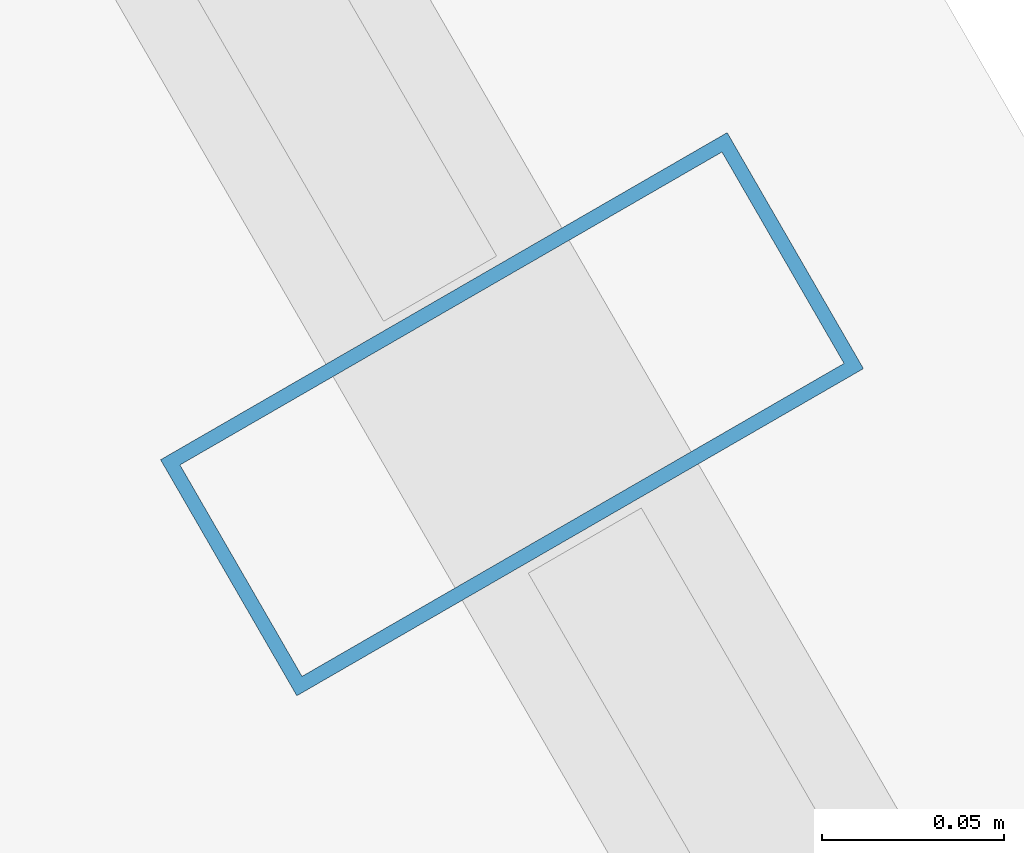
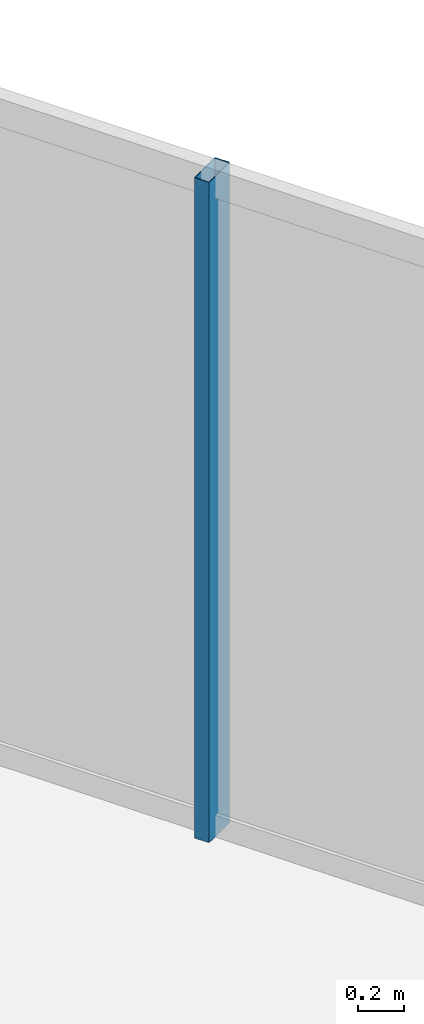
# One storey, part 25 of 34: 1 member, 1 element without a shape of its own.
"""IFC4 building model written with IfcOpenShell, lengths in metres."""

from ifc_helpers import new_model, si_unit, direction, frame, origin, origin_2d, place, context, subcontext, project, spatial, hollow_rectangle, extrude, material, layer, layer_set, material_profile, profile_set, type_object, element, aggregate, save


model = new_model("IFC4")

# Units and contexts
model_context = context("Model", 3, precision=1e-05, world=origin(), true_north=direction((0.0, 1.0)))
body_context = subcontext(model_context, "Body", "Model", "MODEL_VIEW")
ifc_project = project(units=[si_unit("LENGTHUNIT", "METRE"), si_unit("AREAUNIT", "SQUARE_METRE"), si_unit("VOLUMEUNIT", "CUBIC_METRE"), si_unit("PLANEANGLEUNIT", "RADIAN"), si_unit("MASSUNIT", "GRAM", prefix="KILO")], contexts=[model_context])

# Site, building, storey
site_placement = place(None, origin())
site = spatial("IfcSite", under=ifc_project, at=site_placement, CompositionType="ELEMENT")
building_placement = place(site_placement, origin())
building = spatial("IfcBuilding", under=site, at=building_placement, Name="Ndaravel Arena Tower", CompositionType="ELEMENT")
storey_placement = place(building_placement, frame((0.0, 0.0, 199.199951171875)))
storey = spatial("IfcBuildingStorey", under=building, at=storey_placement, Name="L48", CompositionType="ELEMENT", Elevation=199.199951171875)

# Curtain wall, member
ifc_material_1 = material(Name="Aluminium", Category="aluminium")
ifc_layer = layer(ifc_material_1, 0.179931640625)
ifc_layer_set = layer_set([ifc_layer], Name="Aluminium")
curtain_wall_type = type_object("IfcCurtainWallType", Name="CW-SYS-03", PredefinedType="NOTDEFINED", material=ifc_layer_set)
curtain_wall_placement = place(storey_placement, origin())
curtain_wall = element("IfcCurtainWall", 1, at=curtain_wall_placement, inside=storey, type_object=curtain_wall_type, Name="L48 Faceted Crystal Curtain Wall CW-L48-E03", PredefinedType="NOTDEFINED")
ifc_material_2 = material(Name="Aluminium", Category="aluminium")
ifc_material_profile = material_profile(ifc_material_2, hollow_rectangle(XDim=0.074951171875, YDim=0.179931640625, WallThickness=0.00390625, at=origin_2d()), Name="CW MULLION 75x180x4")
ifc_profile_set = profile_set([ifc_material_profile], Name="Aluminium")
member_type = type_object("IfcMemberType", Name="MEM-CW-MUL180", PredefinedType="MULLION", material=ifc_profile_set)
member_placement = place(storey_placement, frame((50.773681640625, 38.763427734375, 0.0), z_axis=(0.0, 0.0, 1.0), x_axis=(-0.5, 0.866025403784, 0.0)))
member = element("IfcMember", 2, at=member_placement, type_object=member_type, Name="CW-L48-E03 Mullion 07", PredefinedType="MULLION", context=body_context, shape_type="SweptSolid", body=[
    extrude(hollow_rectangle(XDim=0.074951171875, YDim=0.179931640625, WallThickness=0.00390625, at=origin_2d()), origin(), (0.0, 0.0, 1.0), 3.52001953125),
])
aggregate(curtain_wall, [member])

save(model, "model.ifc")
